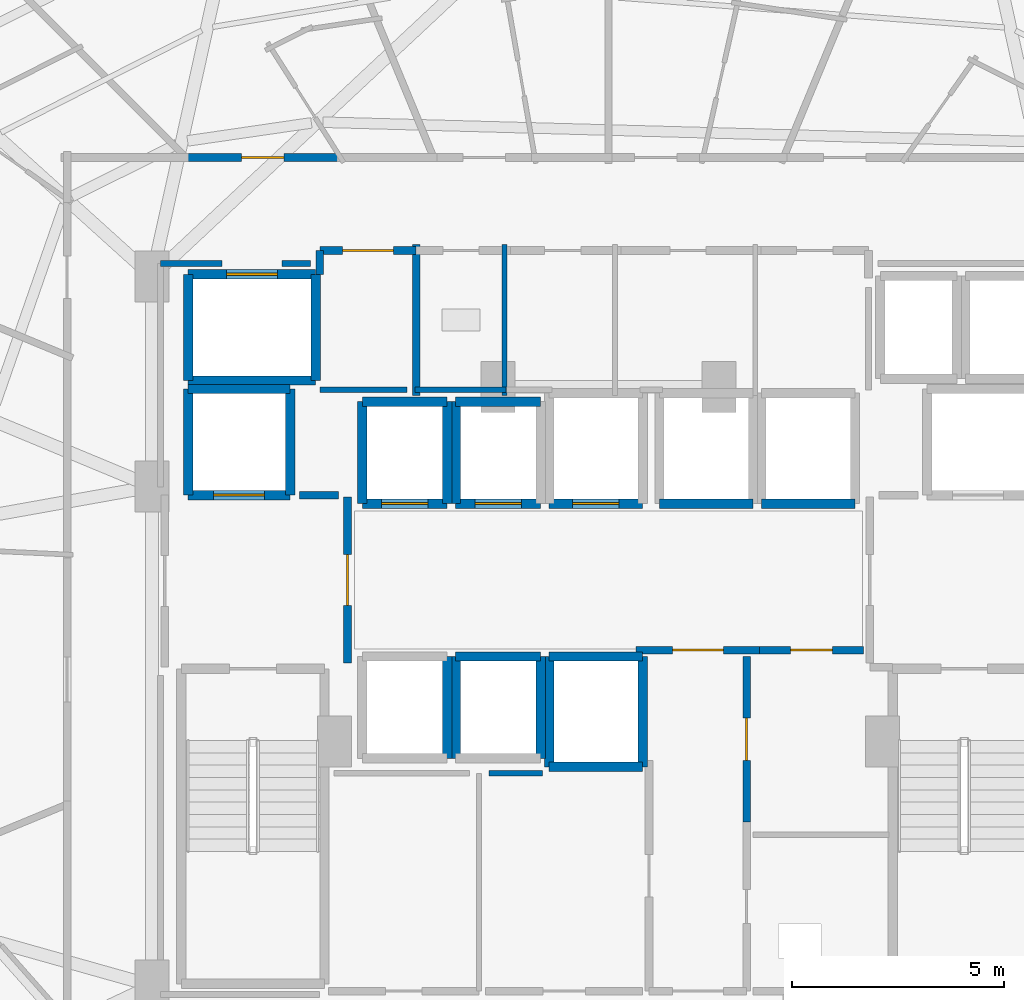
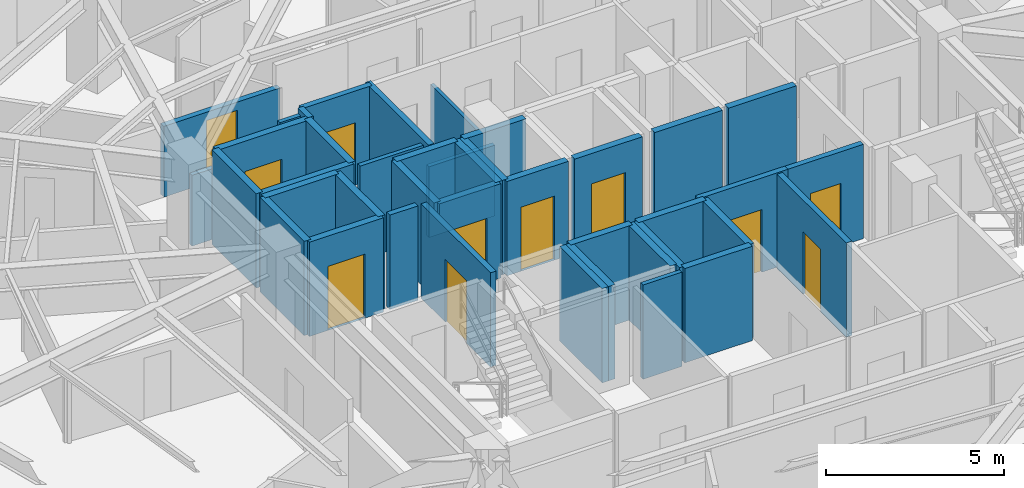
# One storey, part 25 of 31: 41 walls, 11 doors, 11 openings.
"""IFC4 building model written with IfcOpenShell, lengths in metres."""

from ifc_helpers import new_model, si_unit, direction, frame, frame_2d, origin, place, context, subcontext, project, spatial, rectangle, extrude, material, layer, layer_set, type_object, element, fill, save


model = new_model("IFC4")

# Units and contexts
model_context = context("Model", 3, precision=1e-05, world=origin(), true_north=direction((0.0, 1.0)))
body_context = subcontext(model_context, "Body", "Model", "MODEL_VIEW")
ifc_project = project(units=[si_unit("LENGTHUNIT", "METRE"), si_unit("AREAUNIT", "SQUARE_METRE"), si_unit("VOLUMEUNIT", "CUBIC_METRE"), si_unit("PLANEANGLEUNIT", "RADIAN"), si_unit("MASSUNIT", "GRAM", prefix="KILO")], contexts=[model_context])

# Site, building, storey
site_placement = place(None, origin())
site = spatial("IfcSite", under=ifc_project, at=site_placement, CompositionType="ELEMENT")
building_placement = place(site_placement, origin())
building = spatial("IfcBuilding", under=site, at=building_placement, Name="Vorneva Point Tower", CompositionType="ELEMENT")
storey_placement = place(building_placement, frame((0.0, 0.0, 103.300048828125)))
storey = spatial("IfcBuildingStorey", under=building, at=storey_placement, Name="L27", CompositionType="ELEMENT", Elevation=103.300048828125)

# Wall, opening, door
ifc_material_1 = material(Name="Concrete B60 (C50/60)", Category="concrete")
ifc_layer_1 = layer(ifc_material_1, 0.5)
ifc_layer_set_1 = layer_set([ifc_layer_1], Name="Concrete B60 (C50/60)")
wall_type_1 = type_object("IfcWallType", Name="WL-CORE-500", PredefinedType="SHEAR", material=ifc_layer_set_1)
wall_1_placement = place(storey_placement, frame((28.10009765625, 28.0, 0.0), z_axis=(0.0, 0.0, 1.0), x_axis=(1.0, 0.0, 0.0)))
wall_1 = element("IfcWall", 1, at=wall_1_placement, inside=storey, type_object=wall_type_1, Name="L27 Lift FFL1 Shaft Wall -Y", PredefinedType="SHEAR", context=body_context, shape_type="SweptSolid", body=[
    extrude(rectangle(XDim=2.39990234375, YDim=0.219970703125, at=frame_2d((1.199951171875, 0.0))), origin(), (0.0, 0.0, 1.0), 3.239990234375),
])
opening_1_placement = place(wall_1_placement, frame((0.60009765625, 0.0, 0.0)))
opening_1 = element("IfcOpeningElement", 2, at=opening_1_placement, cuts=wall_1, Name="Opening LD-02", PredefinedType="OPENING", context=body_context, shape_type="SweptSolid", body=[
    extrude(rectangle(XDim=1.199951171875, YDim=2.199951171875, at=frame_2d((0.60009765625, 1.10009765625))), frame((0.0, 0.125, 0.0), z_axis=(0.0, -1.0, 0.0), x_axis=(1.0, 0.0, 0.0)), (0.0, 0.0, 1.0), 0.249755859375),
])
ifc_material_2 = material(Name="Brushed stainless steel S304", Category="steel")
door_type_1 = type_object("IfcDoorType", Name="LD-FIRE-1200", OperationType="SLIDING_TO_LEFT", PredefinedType="DOOR", material=ifc_material_2)
door_1_placement = place(opening_1_placement, origin())
door_1 = element("IfcDoor", 3, at=door_1_placement, inside=storey, type_object=door_type_1, Name="L27 Lift FFL1 Sliding Landing Door", OperationType="SLIDING_TO_LEFT", OverallHeight=2.199951171875, OverallWidth=1.199951171875, PredefinedType="DOOR", context=body_context, shape_type="SweptSolid", body=[
    extrude(rectangle(XDim=1.199951171875, YDim=2.199951171875, at=frame_2d((0.60009765625, 1.10009765625))), frame((0.0, 0.02490234375, 0.0), z_axis=(0.0, -1.0, 0.0), x_axis=(1.0, 0.0, 0.0)), (0.0, 0.0, 1.0), 0.050048828125),
])
fill(opening_1, door_1)

# Walls
wall_2_placement = place(storey_placement, frame((30.5, 28.0, 0.0), z_axis=(0.0, 0.0, 1.0), x_axis=(0.0, 1.0, 0.0)))
element("IfcWall", 4, at=wall_2_placement, inside=storey, type_object=wall_type_1, Name="L27 Lift FFL1 Shaft Wall +X", PredefinedType="SHEAR", context=body_context, shape_type="SweptSolid", body=[
    extrude(rectangle(XDim=2.5, YDim=0.219970703125, at=frame_2d((1.25, 0.0))), origin(), (0.0, 0.0, 1.0), 3.239990234375),
])
wall_3_placement = place(storey_placement, frame((30.5, 30.5, 0.0), z_axis=(0.0, 0.0, 1.0), x_axis=(-1.0, 0.0, 0.0)))
element("IfcWall", 5, at=wall_3_placement, inside=storey, type_object=wall_type_1, Name="L27 Lift FFL1 Shaft Wall +Y", PredefinedType="SHEAR", context=body_context, shape_type="SweptSolid", body=[
    extrude(rectangle(XDim=2.39990234375, YDim=0.219970703125, at=frame_2d((1.199951171875, 0.0))), origin(), (0.0, 0.0, 1.0), 3.239990234375),
])
wall_4_placement = place(storey_placement, frame((28.10009765625, 30.5, 0.0), z_axis=(0.0, 0.0, 1.0), x_axis=(0.0, -1.0, 0.0)))
element("IfcWall", 6, at=wall_4_placement, inside=storey, type_object=wall_type_1, Name="L27 Lift FFL1 Shaft Wall -X", PredefinedType="SHEAR", context=body_context, shape_type="SweptSolid", body=[
    extrude(rectangle(XDim=2.5, YDim=0.219970703125, at=frame_2d((1.25, 0.0))), origin(), (0.0, 0.0, 1.0), 3.239990234375),
])
ifc_material_3 = material(Name="Fire-rated acoustic gypsum stud partition", Category="gypsum")
ifc_layer_2 = layer(ifc_material_3, 0.110107421875)
ifc_layer_set_2 = layer_set([ifc_layer_2], Name="Fire-rated acoustic gypsum stud partition")
wall_type_2 = type_object("IfcWallType", Name="WL-PART-110", PredefinedType="PARTITIONING", material=ifc_layer_set_2)
wall_5_placement = place(storey_placement, frame((35.550048828125, 30.340087890625, 0.0), z_axis=(0.0, 0.0, 1.0), x_axis=(0.0, 1.0, 0.0)))
element("IfcWall", 7, at=wall_5_placement, inside=storey, type_object=wall_type_2, Name="L27 Interior Partition 017", PredefinedType="PARTITIONING", context=body_context, shape_type="SweptSolid", body=[
    extrude(rectangle(XDim=3.559814453125, YDim=0.110107421875, at=frame_2d((1.77978515625, 0.0))), origin(), (0.0, 0.0, 1.0), 2.431884765625),
])
ifc_layer_3 = layer(ifc_material_3, 0.139892578125)
ifc_layer_set_3 = layer_set([ifc_layer_3], Name="Fire-rated acoustic gypsum stud partition")
wall_type_3 = type_object("IfcWallType", Name="WL-PART-140", PredefinedType="PARTITIONING", material=ifc_layer_set_3)
wall_6_placement = place(storey_placement, frame((31.199951171875, 30.47998046875, 0.0), z_axis=(0.0, 0.0, 1.0), x_axis=(1.0, 0.0, 0.0)))
element("IfcWall", 8, at=wall_6_placement, inside=storey, type_object=wall_type_3, Name="L27 Interior Closure Partition 097", PredefinedType="PARTITIONING", context=body_context, shape_type="SweptSolid", body=[
    extrude(rectangle(XDim=2.050048828125, YDim=0.139892578125, at=frame_2d((1.02490234375, 0.0))), origin(), (0.0, 0.0, 1.0), 3.239990234375),
])
wall_7_placement = place(storey_placement, frame((33.43994140625, 30.47998046875, 0.0), z_axis=(0.0, 0.0, 1.0), x_axis=(1.0, 0.0, 0.0)))
element("IfcWall", 9, at=wall_7_placement, inside=storey, type_object=wall_type_3, Name="L27 Interior Closure Partition 098", PredefinedType="PARTITIONING", context=body_context, shape_type="SweptSolid", body=[
    extrude(rectangle(XDim=2.14013671875, YDim=0.139892578125, at=frame_2d((1.070068359375, 0.0))), origin(), (0.0, 0.0, 1.0), 2.431884765625),
])
wall_8_placement = place(storey_placement, frame((36.43896484375, 21.449951171875, 0.0), z_axis=(0.0, 0.0, 1.0), x_axis=(-1.0, 0.0, 0.0)))
element("IfcWall", 10, at=wall_8_placement, inside=storey, type_object=wall_type_3, Name="L27 Interior Closure Partition 103", PredefinedType="PARTITIONING", context=body_context, shape_type="SweptSolid", body=[
    extrude(rectangle(XDim=1.259033203125, YDim=0.139892578125, at=frame_2d((0.62939453125, 0.0))), origin(), (0.0, 0.0, 1.0), 3.239990234375),
])
wall_9_placement = place(storey_placement, frame((27.449951171875, 33.449951171875, 0.0), z_axis=(0.0, 0.0, 1.0), x_axis=(1.0, 0.0, 0.0)))
element("IfcWall", 11, at=wall_9_placement, inside=storey, type_object=wall_type_3, Name="L27 Interior Closure Partition 111", PredefinedType="PARTITIONING", context=body_context, shape_type="SweptSolid", body=[
    extrude(rectangle(XDim=1.444091796875, YDim=0.139892578125, at=frame_2d((0.72216796875, 0.0))), origin(), (0.0, 0.0, 1.0), 2.431884765625),
])
wall_10_placement = place(storey_placement, frame((30.305908203125, 33.449951171875, 0.0), z_axis=(0.0, 0.0, 1.0), x_axis=(1.0, 0.0, 0.0)))
element("IfcWall", 12, at=wall_10_placement, inside=storey, type_object=wall_type_3, Name="L27 Interior Closure Partition 112", PredefinedType="PARTITIONING", context=body_context, shape_type="SweptSolid", body=[
    extrude(rectangle(XDim=0.674072265625, YDim=0.139892578125, at=frame_2d((0.3369140625, 0.0))), origin(), (0.0, 0.0, 1.0), 3.239990234375),
])

# Wall, opening, door
ifc_material_4 = material(Name="Autoclaved aerated concrete blockwork", Category="masonry")
ifc_layer_4 = layer(ifc_material_4, 0.179931640625)
ifc_layer_set_4 = layer_set([ifc_layer_4], Name="Autoclaved aerated concrete blockwork")
wall_type_4 = type_object("IfcWallType", Name="WL-PART-180", PredefinedType="PARTITIONING", material=ifc_layer_set_4)
wall_11_placement = place(storey_placement, frame((31.85009765625, 24.044921875, 0.0), z_axis=(0.0, 0.0, 1.0), x_axis=(0.0, 1.0, 0.0)))
wall_11 = element("IfcWall", 13, at=wall_11_placement, inside=storey, type_object=wall_type_4, Name="L27 Interior Partition 001", PredefinedType="PARTITIONING", context=body_context, shape_type="SweptSolid", body=[
    extrude(rectangle(XDim=3.91015625, YDim=0.179931640625, at=frame_2d((1.955078125, 0.0))), origin(), (0.0, 0.0, 1.0), 3.239990234375),
])
opening_2_placement = place(wall_11_placement, frame((1.35498046875, 0.0, 0.0)))
opening_2 = element("IfcOpeningElement", 14, at=opening_2_placement, cuts=wall_11, Name="Opening FD-02", PredefinedType="OPENING", context=body_context, shape_type="SweptSolid", body=[
    extrude(rectangle(XDim=1.199951171875, YDim=2.14990234375, at=frame_2d((0.60009765625, 1.074951171875))), frame((0.0, 0.10498046875, 0.0), z_axis=(0.0, -1.0, 0.0), x_axis=(1.0, 0.0, 0.0)), (0.0, 0.0, 1.0), 0.209716796875),
])
ifc_material_5 = material(Name="Fire-rated powder-coated steel", Category="steel")
door_type_2 = type_object("IfcDoorType", Name="DR-FFL-1200", OperationType="NOTDEFINED", PredefinedType="DOOR", material=ifc_material_5)
door_2_placement = place(opening_2_placement, origin())
door_2 = element("IfcDoor", 15, at=door_2_placement, inside=storey, type_object=door_type_2, Name="L27 Door West Firefighting Lobby / Central Lift Lobby", OperationType="SINGLE_SWING_RIGHT", OverallHeight=2.14990234375, OverallWidth=1.199951171875, PredefinedType="DOOR", context=body_context, shape_type="SweptSolid", body=[
    extrude(rectangle(XDim=1.199951171875, YDim=2.14990234375, at=frame_2d((0.60009765625, 1.074951171875))), frame((0.0, 0.02490234375, 0.0), z_axis=(0.0, -1.0, 0.0), x_axis=(1.0, 0.0, 0.0)), (0.0, 0.0, 1.0), 0.050048828125),
])
fill(opening_2, door_2)

# Wall
wall_12_placement = place(storey_placement, frame((33.469970703125, 30.340087890625, 0.0), z_axis=(0.0, 0.0, 1.0), x_axis=(0.0, 1.0, 0.0)))
element("IfcWall", 16, at=wall_12_placement, inside=storey, type_object=wall_type_4, Name="L27 Interior Partition 006", PredefinedType="PARTITIONING", context=body_context, shape_type="SweptSolid", body=[
    extrude(rectangle(XDim=3.559814453125, YDim=0.179931640625, at=frame_2d((1.77978515625, 0.0))), origin(), (0.0, 0.0, 1.0), 3.239990234375),
])

# Wall, opening, door
wall_13_placement = place(storey_placement, frame((33.469970703125, 33.760009765625, 0.0), z_axis=(0.0, 0.0, 1.0), x_axis=(-1.0, 0.0, 0.0)))
wall_13 = element("IfcWall", 17, at=wall_13_placement, inside=storey, type_object=wall_type_4, Name="L27 Interior Partition 007", PredefinedType="PARTITIONING", context=body_context, shape_type="SweptSolid", body=[
    extrude(rectangle(XDim=2.27001953125, YDim=0.179931640625, at=frame_2d((1.135009765625, 0.0))), origin(), (0.0, 0.0, 1.0), 3.239990234375),
])
opening_3_placement = place(wall_13_placement, frame((0.534912109375, 0.0, 0.0)))
opening_3 = element("IfcOpeningElement", 18, at=opening_3_placement, cuts=wall_13, Name="Opening FD-02", PredefinedType="OPENING", context=body_context, shape_type="SweptSolid", body=[
    extrude(rectangle(XDim=1.199951171875, YDim=2.14990234375, at=frame_2d((0.60009765625, 1.074951171875))), frame((0.0, 0.10498046875, 0.0), z_axis=(0.0, -1.0, 0.0), x_axis=(1.0, 0.0, 0.0)), (0.0, 0.0, 1.0), 0.209716796875),
])
door_3_placement = place(opening_3_placement, origin())
door_3 = element("IfcDoor", 19, at=door_3_placement, inside=storey, type_object=door_type_2, Name="L27 Door Service Lift Lobby / L27 Circulation Corridor", OperationType="SINGLE_SWING_RIGHT", OverallHeight=2.14990234375, OverallWidth=1.199951171875, PredefinedType="DOOR", context=body_context, shape_type="SweptSolid", body=[
    extrude(rectangle(XDim=1.199951171875, YDim=2.14990234375, at=frame_2d((0.60009765625, 1.074951171875))), frame((0.0, 0.02490234375, 0.0), z_axis=(0.0, -1.0, 0.0), x_axis=(1.0, 0.0, 0.0)), (0.0, 0.0, 1.0), 0.050048828125),
])
fill(opening_3, door_3)

# Wall
wall_14_placement = place(storey_placement, frame((31.199951171875, 33.760009765625, 0.0), z_axis=(0.0, 0.0, 1.0), x_axis=(0.0, -1.0, 0.0)))
element("IfcWall", 20, at=wall_14_placement, inside=storey, type_object=wall_type_4, Name="L27 Interior Partition 008", PredefinedType="PARTITIONING", context=body_context, shape_type="SweptSolid", body=[
    extrude(rectangle(XDim=0.56005859375, YDim=0.179931640625, at=frame_2d((0.280029296875, 0.0))), origin(), (0.0, 0.0, 1.0), 3.239990234375),
])

# Wall, opening, door
wall_15_placement = place(storey_placement, frame((38.64501953125, 24.35009765625, 0.0), z_axis=(0.0, 0.0, 1.0), x_axis=(1.0, 0.0, 0.0)))
wall_15 = element("IfcWall", 21, at=wall_15_placement, inside=storey, type_object=wall_type_4, Name="L27 Interior Partition 009", PredefinedType="PARTITIONING", context=body_context, shape_type="SweptSolid", body=[
    extrude(rectangle(XDim=2.909912109375, YDim=0.179931640625, at=frame_2d((1.455078125, 0.0))), origin(), (0.0, 0.0, 1.0), 3.239990234375),
])
opening_4_placement = place(wall_15_placement, frame((0.85498046875, 0.0, 0.0)))
opening_4 = element("IfcOpeningElement", 22, at=opening_4_placement, cuts=wall_15, Name="Opening FD-02", PredefinedType="OPENING", context=body_context, shape_type="SweptSolid", body=[
    extrude(rectangle(XDim=1.199951171875, YDim=2.14990234375, at=frame_2d((0.60009765625, 1.074951171875))), frame((0.0, 0.10498046875, 0.0), z_axis=(0.0, -1.0, 0.0), x_axis=(1.0, 0.0, 0.0)), (0.0, 0.0, 1.0), 0.209716796875),
])
door_4_placement = place(opening_4_placement, origin())
door_4 = element("IfcDoor", 23, at=door_4_placement, inside=storey, type_object=door_type_2, Name="L27 Door Central Lift Lobby / Core Service Lobby", OperationType="SINGLE_SWING_LEFT", OverallHeight=2.14990234375, OverallWidth=1.199951171875, PredefinedType="DOOR", context=body_context, shape_type="SweptSolid", body=[
    extrude(rectangle(XDim=1.199951171875, YDim=2.14990234375, at=frame_2d((0.60009765625, 1.074951171875))), frame((0.0, 0.02490234375, 0.0), z_axis=(0.0, -1.0, 0.0), x_axis=(1.0, 0.0, 0.0)), (0.0, 0.0, 1.0), 0.050048828125),
])
fill(opening_4, door_4)

wall_16_placement = place(storey_placement, frame((41.554931640625, 24.35009765625, 0.0), z_axis=(0.0, 0.0, 1.0), x_axis=(1.0, 0.0, 0.0)))
wall_16 = element("IfcWall", 24, at=wall_16_placement, inside=storey, type_object=wall_type_4, Name="L27 Interior Partition 010", PredefinedType="PARTITIONING", context=body_context, shape_type="SweptSolid", body=[
    extrude(rectangle(XDim=2.445068359375, YDim=0.179931640625, at=frame_2d((1.22265625, 0.0))), origin(), (0.0, 0.0, 1.0), 3.239990234375),
])
opening_5_placement = place(wall_16_placement, frame((0.722412109375, 0.0, 0.0)))
opening_5 = element("IfcOpeningElement", 25, at=opening_5_placement, cuts=wall_16, Name="Opening UD-01", PredefinedType="OPENING", context=body_context, shape_type="SweptSolid", body=[
    extrude(rectangle(XDim=1.0, YDim=2.14990234375, at=frame_2d((0.5, 1.074951171875))), frame((0.0, 0.10498046875, 0.0), z_axis=(0.0, -1.0, 0.0), x_axis=(1.0, 0.0, 0.0)), (0.0, 0.0, 1.0), 0.209716796875),
])
ifc_material_6 = material(Name="Engineered oak fire-rated door leaf", Category="wood")
door_type_3 = type_object("IfcDoorType", Name="DR-UNIT-1000", OperationType="NOTDEFINED", PredefinedType="DOOR", material=ifc_material_6)
door_5_placement = place(opening_5_placement, origin())
door_5 = element("IfcDoor", 26, at=door_5_placement, inside=storey, type_object=door_type_3, Name="L27 Door Central Lift Lobby / Floor Management Office", OperationType="SINGLE_SWING_RIGHT", OverallHeight=2.14990234375, OverallWidth=1.0, PredefinedType="DOOR", context=body_context, shape_type="SweptSolid", body=[
    extrude(rectangle(XDim=1.0, YDim=2.14990234375, at=frame_2d((0.5, 1.074951171875))), frame((0.0, 0.02490234375, 0.0), z_axis=(0.0, -1.0, 0.0), x_axis=(1.0, 0.0, 0.0)), (0.0, 0.0, 1.0), 0.050048828125),
])
fill(opening_5, door_5)

wall_17_placement = place(storey_placement, frame((41.25, 20.304931640625, 0.0), z_axis=(0.0, 0.0, 1.0), x_axis=(0.0, 1.0, 0.0)))
wall_17 = element("IfcWall", 27, at=wall_17_placement, inside=storey, type_object=wall_type_4, Name="L27 Interior Partition 012", PredefinedType="PARTITIONING", context=body_context, shape_type="SweptSolid", body=[
    extrude(rectangle(XDim=3.89501953125, YDim=0.179931640625, at=frame_2d((1.947509765625, 0.0))), origin(), (0.0, 0.0, 1.0), 3.239990234375),
])
opening_6_placement = place(wall_17_placement, frame((1.447509765625, 0.0, 0.0)))
opening_6 = element("IfcOpeningElement", 28, at=opening_6_placement, cuts=wall_17, Name="Opening UD-01", PredefinedType="OPENING", context=body_context, shape_type="SweptSolid", body=[
    extrude(rectangle(XDim=1.0, YDim=2.14990234375, at=frame_2d((0.5, 1.074951171875))), frame((0.0, 0.10498046875, 0.0), z_axis=(0.0, -1.0, 0.0), x_axis=(1.0, 0.0, 0.0)), (0.0, 0.0, 1.0), 0.209716796875),
])
door_6_placement = place(opening_6_placement, origin())
door_6 = element("IfcDoor", 29, at=door_6_placement, inside=storey, type_object=door_type_3, Name="L27 Door Core Service Lobby / Floor Management Office", OperationType="SINGLE_SWING_RIGHT", OverallHeight=2.14990234375, OverallWidth=1.0, PredefinedType="DOOR", context=body_context, shape_type="SweptSolid", body=[
    extrude(rectangle(XDim=1.0, YDim=2.14990234375, at=frame_2d((0.5, 1.074951171875))), frame((0.0, 0.02490234375, 0.0), z_axis=(0.0, -1.0, 0.0), x_axis=(1.0, 0.0, 0.0)), (0.0, 0.0, 1.0), 0.050048828125),
])
fill(opening_6, door_6)

wall_18_placement = place(storey_placement, frame((31.74609375, 35.949951171875, 0.0), z_axis=(0.0, 0.0, 1.0), x_axis=(-1.0, 0.0, 0.0)))
wall_18 = element("IfcWall", 30, at=wall_18_placement, inside=storey, type_object=wall_type_4, Name="L27 Interior Partition 037", PredefinedType="PARTITIONING", context=body_context, shape_type="SweptSolid", body=[
    extrude(rectangle(XDim=3.781005859375, YDim=0.179931640625, at=frame_2d((1.890625, 0.0))), origin(), (0.0, 0.0, 1.0), 2.431884765625),
])
opening_7_placement = place(wall_18_placement, frame((1.390380859375, 0.0, 0.0)))
opening_7 = element("IfcOpeningElement", 31, at=opening_7_placement, cuts=wall_18, Name="Opening UD-01", PredefinedType="OPENING", context=body_context, shape_type="SweptSolid", body=[
    extrude(rectangle(XDim=1.0, YDim=2.14990234375, at=frame_2d((0.5, 1.074951171875))), frame((0.0, 0.10498046875, 0.0), z_axis=(0.0, -1.0, 0.0), x_axis=(1.0, 0.0, 0.0)), (0.0, 0.0, 1.0), 0.209716796875),
])
door_7_placement = place(opening_7_placement, origin())
door_7 = element("IfcDoor", 32, at=door_7_placement, inside=storey, type_object=door_type_3, Name="L27 Door L27 Circulation Corridor / Twin Guest Room L27-05", OperationType="SINGLE_SWING_RIGHT", OverallHeight=2.14990234375, OverallWidth=1.0, PredefinedType="DOOR", context=body_context, shape_type="SweptSolid", body=[
    extrude(rectangle(XDim=1.0, YDim=2.14990234375, at=frame_2d((0.5, 1.074951171875))), frame((0.0, 0.02490234375, 0.0), z_axis=(0.0, -1.0, 0.0), x_axis=(1.0, 0.0, 0.0)), (0.0, 0.0, 1.0), 0.050048828125),
])
fill(opening_7, door_7)

# Wall
wall_19_placement = place(storey_placement, frame((31.635009765625, 28.0, 0.0), z_axis=(0.0, 0.0, 1.0), x_axis=(-1.0, 0.0, 0.0)))
element("IfcWall", 33, at=wall_19_placement, inside=storey, type_object=wall_type_4, Name="L27 Interior Closure Partition 095", PredefinedType="PARTITIONING", context=body_context, shape_type="SweptSolid", body=[
    extrude(rectangle(XDim=0.9150390625, YDim=0.179931640625, at=frame_2d((0.45751953125, 0.0))), origin(), (0.0, 0.0, 1.0), 3.239990234375),
])

# Wall, opening, door
ifc_material_7 = material(Name="Concrete B50 (C40/50)", Category="concrete")
ifc_layer_5 = layer(ifc_material_7, 0.219970703125)
ifc_layer_set_5 = layer_set([ifc_layer_5], Name="Concrete B50 (C40/50)")
wall_type_5 = type_object("IfcWallType", Name="WL-SHFT-220", PredefinedType="SOLIDWALL", material=ifc_layer_set_5)
wall_20_placement = place(storey_placement, frame((32.199951171875, 27.800048828125, 0.0), z_axis=(0.0, 0.0, 1.0), x_axis=(1.0, 0.0, 0.0)))
wall_20 = element("IfcWall", 34, at=wall_20_placement, inside=storey, type_object=wall_type_5, Name="L27 Lift PL1 Shaft Wall -Y", PredefinedType="SOLIDWALL", context=body_context, shape_type="SweptSolid", body=[
    extrude(rectangle(XDim=2.0, YDim=0.219970703125, at=frame_2d((1.0, 0.0))), origin(), (0.0, 0.0, 1.0), 3.239990234375),
])
opening_8_placement = place(wall_20_placement, frame((0.449951171875, 0.0, 0.0)))
opening_8 = element("IfcOpeningElement", 35, at=opening_8_placement, cuts=wall_20, Name="Opening LD-01", PredefinedType="OPENING", context=body_context, shape_type="SweptSolid", body=[
    extrude(rectangle(XDim=1.10009765625, YDim=2.199951171875, at=frame_2d((0.550048828125, 1.10009765625))), frame((0.0, 0.125, 0.0), z_axis=(0.0, -1.0, 0.0), x_axis=(1.0, 0.0, 0.0)), (0.0, 0.0, 1.0), 0.249755859375),
])
door_type_4 = type_object("IfcDoorType", Name="LD-PASS-1100", OperationType="SLIDING_TO_LEFT", PredefinedType="DOOR", material=ifc_material_2)
door_8_placement = place(opening_8_placement, origin())
door_8 = element("IfcDoor", 36, at=door_8_placement, inside=storey, type_object=door_type_4, Name="L27 Lift PL1 Sliding Landing Door", OperationType="SLIDING_TO_LEFT", OverallHeight=2.199951171875, OverallWidth=1.10009765625, PredefinedType="DOOR", context=body_context, shape_type="SweptSolid", body=[
    extrude(rectangle(XDim=1.10009765625, YDim=2.199951171875, at=frame_2d((0.550048828125, 1.10009765625))), frame((0.0, 0.02490234375, 0.0), z_axis=(0.0, -1.0, 0.0), x_axis=(1.0, 0.0, 0.0)), (0.0, 0.0, 1.0), 0.050048828125),
])
fill(opening_8, door_8)

# Walls
wall_21_placement = place(storey_placement, frame((34.199951171875, 27.800048828125, 0.0), z_axis=(0.0, 0.0, 1.0), x_axis=(0.0, 1.0, 0.0)))
element("IfcWall", 37, at=wall_21_placement, inside=storey, type_object=wall_type_5, Name="L27 Lift PL1 Shaft Wall +X", PredefinedType="SOLIDWALL", context=body_context, shape_type="SweptSolid", body=[
    extrude(rectangle(XDim=2.39990234375, YDim=0.219970703125, at=frame_2d((1.199951171875, 0.0))), origin(), (0.0, 0.0, 1.0), 3.239990234375),
])
wall_22_placement = place(storey_placement, frame((34.199951171875, 30.199951171875, 0.0), z_axis=(0.0, 0.0, 1.0), x_axis=(-1.0, 0.0, 0.0)))
element("IfcWall", 38, at=wall_22_placement, inside=storey, type_object=wall_type_5, Name="L27 Lift PL1 Shaft Wall +Y", PredefinedType="SOLIDWALL", context=body_context, shape_type="SweptSolid", body=[
    extrude(rectangle(XDim=2.0, YDim=0.219970703125, at=frame_2d((1.0, 0.0))), origin(), (0.0, 0.0, 1.0), 3.239990234375),
])
wall_23_placement = place(storey_placement, frame((32.199951171875, 30.199951171875, 0.0), z_axis=(0.0, 0.0, 1.0), x_axis=(0.0, -1.0, 0.0)))
element("IfcWall", 39, at=wall_23_placement, inside=storey, type_object=wall_type_5, Name="L27 Lift PL1 Shaft Wall -X", PredefinedType="SOLIDWALL", context=body_context, shape_type="SweptSolid", body=[
    extrude(rectangle(XDim=2.39990234375, YDim=0.219970703125, at=frame_2d((1.199951171875, 0.0))), origin(), (0.0, 0.0, 1.0), 3.239990234375),
])

# Wall, opening, door
wall_24_placement = place(storey_placement, frame((34.39990234375, 27.800048828125, 0.0), z_axis=(0.0, 0.0, 1.0), x_axis=(1.0, 0.0, 0.0)))
wall_24 = element("IfcWall", 40, at=wall_24_placement, inside=storey, type_object=wall_type_5, Name="L27 Lift PL2 Shaft Wall -Y", PredefinedType="SOLIDWALL", context=body_context, shape_type="SweptSolid", body=[
    extrude(rectangle(XDim=2.0, YDim=0.219970703125, at=frame_2d((1.0, 0.0))), origin(), (0.0, 0.0, 1.0), 3.239990234375),
])
opening_9_placement = place(wall_24_placement, frame((0.449951171875, 0.0, 0.0)))
opening_9 = element("IfcOpeningElement", 41, at=opening_9_placement, cuts=wall_24, Name="Opening LD-01", PredefinedType="OPENING", context=body_context, shape_type="SweptSolid", body=[
    extrude(rectangle(XDim=1.10009765625, YDim=2.199951171875, at=frame_2d((0.550048828125, 1.10009765625))), frame((0.0, 0.125, 0.0), z_axis=(0.0, -1.0, 0.0), x_axis=(1.0, 0.0, 0.0)), (0.0, 0.0, 1.0), 0.249755859375),
])
door_9_placement = place(opening_9_placement, origin())
door_9 = element("IfcDoor", 42, at=door_9_placement, inside=storey, type_object=door_type_4, Name="L27 Lift PL2 Sliding Landing Door", OperationType="SLIDING_TO_LEFT", OverallHeight=2.199951171875, OverallWidth=1.10009765625, PredefinedType="DOOR", context=body_context, shape_type="SweptSolid", body=[
    extrude(rectangle(XDim=1.10009765625, YDim=2.199951171875, at=frame_2d((0.550048828125, 1.10009765625))), frame((0.0, 0.02490234375, 0.0), z_axis=(0.0, -1.0, 0.0), x_axis=(1.0, 0.0, 0.0)), (0.0, 0.0, 1.0), 0.050048828125),
])
fill(opening_9, door_9)

# Walls
wall_25_placement = place(storey_placement, frame((36.39990234375, 30.199951171875, 0.0), z_axis=(0.0, 0.0, 1.0), x_axis=(-1.0, 0.0, 0.0)))
element("IfcWall", 43, at=wall_25_placement, inside=storey, type_object=wall_type_5, Name="L27 Lift PL2 Shaft Wall +Y", PredefinedType="SOLIDWALL", context=body_context, shape_type="SweptSolid", body=[
    extrude(rectangle(XDim=2.0, YDim=0.219970703125, at=frame_2d((1.0, 0.0))), origin(), (0.0, 0.0, 1.0), 3.239990234375),
])
wall_26_placement = place(storey_placement, frame((34.39990234375, 30.199951171875, 0.0), z_axis=(0.0, 0.0, 1.0), x_axis=(0.0, -1.0, 0.0)))
element("IfcWall", 44, at=wall_26_placement, inside=storey, type_object=wall_type_5, Name="L27 Lift PL2 Shaft Wall -X", PredefinedType="SOLIDWALL", context=body_context, shape_type="SweptSolid", body=[
    extrude(rectangle(XDim=2.39990234375, YDim=0.219970703125, at=frame_2d((1.199951171875, 0.0))), origin(), (0.0, 0.0, 1.0), 3.239990234375),
])

# Wall, opening, door
wall_27_placement = place(storey_placement, frame((36.60009765625, 27.800048828125, 0.0), z_axis=(0.0, 0.0, 1.0), x_axis=(1.0, 0.0, 0.0)))
wall_27 = element("IfcWall", 45, at=wall_27_placement, inside=storey, type_object=wall_type_5, Name="L27 Lift PL3 Shaft Wall -Y", PredefinedType="SOLIDWALL", context=body_context, shape_type="SweptSolid", body=[
    extrude(rectangle(XDim=2.199951171875, YDim=0.219970703125, at=frame_2d((1.10009765625, 0.0))), origin(), (0.0, 0.0, 1.0), 3.239990234375),
])
opening_10_placement = place(wall_27_placement, frame((0.550048828125, 0.0, 0.0)))
opening_10 = element("IfcOpeningElement", 46, at=opening_10_placement, cuts=wall_27, Name="Opening LD-01", PredefinedType="OPENING", context=body_context, shape_type="SweptSolid", body=[
    extrude(rectangle(XDim=1.10009765625, YDim=2.199951171875, at=frame_2d((0.550048828125, 1.10009765625))), frame((0.0, 0.125, 0.0), z_axis=(0.0, -1.0, 0.0), x_axis=(1.0, 0.0, 0.0)), (0.0, 0.0, 1.0), 0.249755859375),
])
door_10_placement = place(opening_10_placement, origin())
door_10 = element("IfcDoor", 47, at=door_10_placement, inside=storey, type_object=door_type_4, Name="L27 Lift PL3 Sliding Landing Door", OperationType="SLIDING_TO_LEFT", OverallHeight=2.199951171875, OverallWidth=1.10009765625, PredefinedType="DOOR", context=body_context, shape_type="SweptSolid", body=[
    extrude(rectangle(XDim=1.10009765625, YDim=2.199951171875, at=frame_2d((0.550048828125, 1.10009765625))), frame((0.0, 0.02490234375, 0.0), z_axis=(0.0, -1.0, 0.0), x_axis=(1.0, 0.0, 0.0)), (0.0, 0.0, 1.0), 0.050048828125),
])
fill(opening_10, door_10)

# Walls
for number, where, z_axis, x_axis, name in (
    (48, (34.199951171875, 21.800048828125, 0.0), (0.0, 0.0, 1.0), (0.0, 1.0, 0.0), "L27 Lift PL4 Shaft Wall +X"),
    (49, (36.39990234375, 21.800048828125, 0.0), (0.0, 0.0, 1.0), (0.0, 1.0, 0.0), "L27 Lift PL5 Shaft Wall +X"),
):
    element("IfcWall", number, at=place(storey_placement, frame(where, z_axis=z_axis, x_axis=x_axis)), inside=storey, type_object=wall_type_5, Name=name, PredefinedType="SOLIDWALL", context=body_context, shape_type="SweptSolid", body=[
        extrude(rectangle(XDim=2.39990234375, YDim=0.219970703125, at=frame_2d((1.199951171875, 0.0))), origin(), (0.0, 0.0, 1.0), 3.239990234375),
    ])
wall_28_placement = place(storey_placement, frame((36.39990234375, 24.199951171875, 0.0), z_axis=(0.0, 0.0, 1.0), x_axis=(-1.0, 0.0, 0.0)))
element("IfcWall", 50, at=wall_28_placement, inside=storey, type_object=wall_type_5, Name="L27 Lift PL5 Shaft Wall +Y", PredefinedType="SOLIDWALL", context=body_context, shape_type="SweptSolid", body=[
    extrude(rectangle(XDim=2.0, YDim=0.219970703125, at=frame_2d((1.0, 0.0))), origin(), (0.0, 0.0, 1.0), 3.239990234375),
])
wall_29_placement = place(storey_placement, frame((34.39990234375, 24.199951171875, 0.0), z_axis=(0.0, 0.0, 1.0), x_axis=(0.0, -1.0, 0.0)))
element("IfcWall", 51, at=wall_29_placement, inside=storey, type_object=wall_type_5, Name="L27 Lift PL5 Shaft Wall -X", PredefinedType="SOLIDWALL", context=body_context, shape_type="SweptSolid", body=[
    extrude(rectangle(XDim=2.39990234375, YDim=0.219970703125, at=frame_2d((1.199951171875, 0.0))), origin(), (0.0, 0.0, 1.0), 3.239990234375),
])
wall_30_placement = place(storey_placement, frame((36.60009765625, 21.60009765625, 0.0), z_axis=(0.0, 0.0, 1.0), x_axis=(1.0, 0.0, 0.0)))
element("IfcWall", 52, at=wall_30_placement, inside=storey, type_object=wall_type_5, Name="L27 Lift PL6 Shaft Wall -Y", PredefinedType="SOLIDWALL", context=body_context, shape_type="SweptSolid", body=[
    extrude(rectangle(XDim=2.199951171875, YDim=0.219970703125, at=frame_2d((1.10009765625, 0.0))), origin(), (0.0, 0.0, 1.0), 3.239990234375),
])
wall_31_placement = place(storey_placement, frame((38.800048828125, 21.60009765625, 0.0), z_axis=(0.0, 0.0, 1.0), x_axis=(0.0, 1.0, 0.0)))
element("IfcWall", 53, at=wall_31_placement, inside=storey, type_object=wall_type_5, Name="L27 Lift PL6 Shaft Wall +X", PredefinedType="SOLIDWALL", context=body_context, shape_type="SweptSolid", body=[
    extrude(rectangle(XDim=2.599853515625, YDim=0.219970703125, at=frame_2d((1.2998046875, 0.0))), origin(), (0.0, 0.0, 1.0), 3.239990234375),
])
wall_32_placement = place(storey_placement, frame((38.800048828125, 24.199951171875, 0.0), z_axis=(0.0, 0.0, 1.0), x_axis=(-1.0, 0.0, 0.0)))
element("IfcWall", 54, at=wall_32_placement, inside=storey, type_object=wall_type_5, Name="L27 Lift PL6 Shaft Wall +Y", PredefinedType="SOLIDWALL", context=body_context, shape_type="SweptSolid", body=[
    extrude(rectangle(XDim=2.199951171875, YDim=0.219970703125, at=frame_2d((1.10009765625, 0.0))), origin(), (0.0, 0.0, 1.0), 3.239990234375),
])
wall_33_placement = place(storey_placement, frame((36.60009765625, 24.199951171875, 0.0), z_axis=(0.0, 0.0, 1.0), x_axis=(0.0, -1.0, 0.0)))
element("IfcWall", 55, at=wall_33_placement, inside=storey, type_object=wall_type_5, Name="L27 Lift PL6 Shaft Wall -X", PredefinedType="SOLIDWALL", context=body_context, shape_type="SweptSolid", body=[
    extrude(rectangle(XDim=2.599853515625, YDim=0.219970703125, at=frame_2d((1.2998046875, 0.0))), origin(), (0.0, 0.0, 1.0), 3.239990234375),
])
for number, where, z_axis, x_axis, name in (
    (56, (39.199951171875, 27.800048828125, 0.0), (0.0, 0.0, 1.0), (1.0, 0.0, 0.0), "L27 Lift PL7 Shaft Wall -Y"),
    (57, (41.60009765625, 27.800048828125, 0.0), (0.0, 0.0, 1.0), (1.0, 0.0, 0.0), "L27 Lift PL8 Shaft Wall -Y"),
):
    element("IfcWall", number, at=place(storey_placement, frame(where, z_axis=z_axis, x_axis=x_axis)), inside=storey, type_object=wall_type_5, Name=name, PredefinedType="SOLIDWALL", context=body_context, shape_type="SweptSolid", body=[
        extrude(rectangle(XDim=2.199951171875, YDim=0.219970703125, at=frame_2d((1.10009765625, 0.0))), origin(), (0.0, 0.0, 1.0), 3.239990234375),
    ])
wall_34_placement = place(storey_placement, frame((28.10009765625, 30.699951171875, 0.0), z_axis=(0.0, 0.0, 1.0), x_axis=(1.0, 0.0, 0.0)))
element("IfcWall", 58, at=wall_34_placement, inside=storey, type_object=wall_type_5, Name="L27 Lift SVL1 Shaft Wall -Y", PredefinedType="SOLIDWALL", context=body_context, shape_type="SweptSolid", body=[
    extrude(rectangle(XDim=3.0, YDim=0.219970703125, at=frame_2d((1.5, 0.0))), origin(), (0.0, 0.0, 1.0), 3.239990234375),
])
wall_35_placement = place(storey_placement, frame((31.10009765625, 30.699951171875, 0.0), z_axis=(0.0, 0.0, 1.0), x_axis=(0.0, 1.0, 0.0)))
element("IfcWall", 59, at=wall_35_placement, inside=storey, type_object=wall_type_5, Name="L27 Lift SVL1 Shaft Wall +X", PredefinedType="SOLIDWALL", context=body_context, shape_type="SweptSolid", body=[
    extrude(rectangle(XDim=2.5, YDim=0.219970703125, at=frame_2d((1.25, 0.0))), origin(), (0.0, 0.0, 1.0), 3.239990234375),
])

# Wall, opening, door
wall_36_placement = place(storey_placement, frame((31.10009765625, 33.199951171875, 0.0), z_axis=(0.0, 0.0, 1.0), x_axis=(-1.0, 0.0, 0.0)))
wall_36 = element("IfcWall", 60, at=wall_36_placement, inside=storey, type_object=wall_type_5, Name="L27 Lift SVL1 Shaft Wall +Y", PredefinedType="SOLIDWALL", context=body_context, shape_type="SweptSolid", body=[
    extrude(rectangle(XDim=3.0, YDim=0.219970703125, at=frame_2d((1.5, 0.0))), origin(), (0.0, 0.0, 1.0), 3.239990234375),
])
opening_11_placement = place(wall_36_placement, frame((0.89990234375, 0.0, 0.0)))
opening_11 = element("IfcOpeningElement", 61, at=opening_11_placement, cuts=wall_36, Name="Opening LD-02", PredefinedType="OPENING", context=body_context, shape_type="SweptSolid", body=[
    extrude(rectangle(XDim=1.199951171875, YDim=2.199951171875, at=frame_2d((0.60009765625, 1.10009765625))), frame((0.0, 0.125, 0.0), z_axis=(0.0, -1.0, 0.0), x_axis=(1.0, 0.0, 0.0)), (0.0, 0.0, 1.0), 0.249755859375),
])
door_11_placement = place(opening_11_placement, origin())
door_11 = element("IfcDoor", 62, at=door_11_placement, inside=storey, type_object=door_type_1, Name="L27 Lift SVL1 Sliding Landing Door", OperationType="SLIDING_TO_LEFT", OverallHeight=2.199951171875, OverallWidth=1.199951171875, PredefinedType="DOOR", context=body_context, shape_type="SweptSolid", body=[
    extrude(rectangle(XDim=1.199951171875, YDim=2.199951171875, at=frame_2d((0.60009765625, 1.10009765625))), frame((0.0, 0.02490234375, 0.0), z_axis=(0.0, -1.0, 0.0), x_axis=(1.0, 0.0, 0.0)), (0.0, 0.0, 1.0), 0.050048828125),
])
fill(opening_11, door_11)

# Wall
wall_37_placement = place(storey_placement, frame((28.10009765625, 33.199951171875, 0.0), z_axis=(0.0, 0.0, 1.0), x_axis=(0.0, -1.0, 0.0)))
element("IfcWall", 63, at=wall_37_placement, inside=storey, type_object=wall_type_5, Name="L27 Lift SVL1 Shaft Wall -X", PredefinedType="SOLIDWALL", context=body_context, shape_type="SweptSolid", body=[
    extrude(rectangle(XDim=2.5, YDim=0.219970703125, at=frame_2d((1.25, 0.0))), origin(), (0.0, 0.0, 1.0), 3.239990234375),
])

save(model, "model.ifc")
